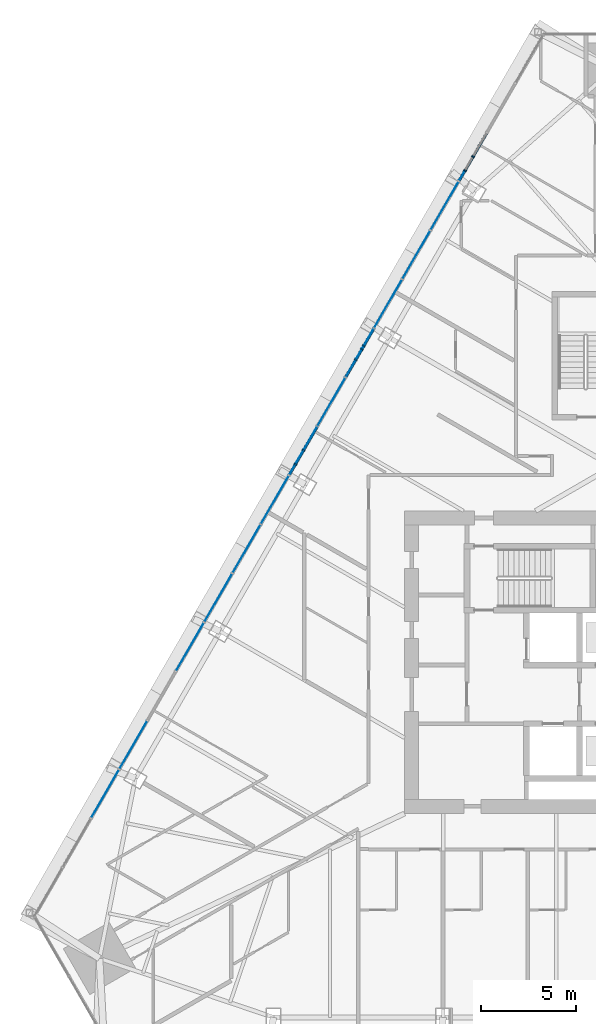
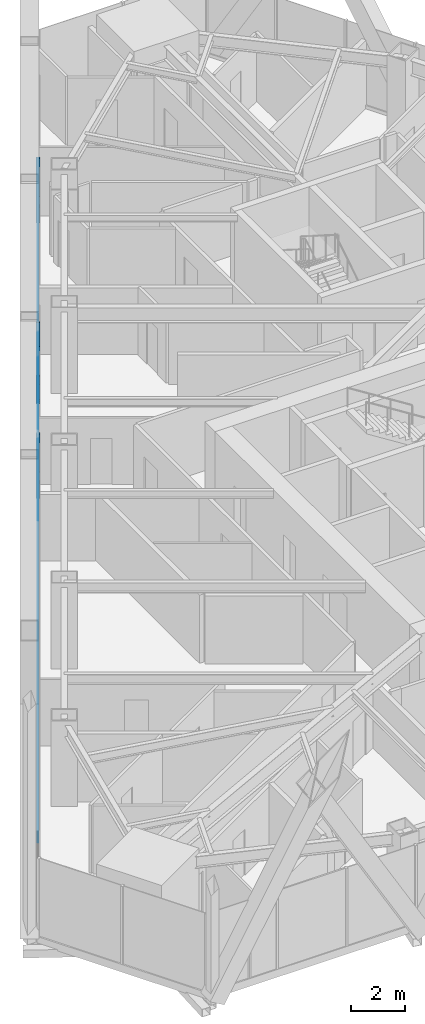
# One storey, part 8 of 24: 21 plates, 11 members, 2 openings, 1 element without a shape of its own.
"""IFC4 building model written with IfcOpenShell, lengths in metres."""

from ifc_helpers import new_model, si_unit, direction, frame, frame_2d, origin, origin_2d, place, context, subcontext, project, spatial, polyline, rectangle, outline, extrude, material, layer, layer_set, material_profile, profile_set, type_object, element, aggregate, save


model = new_model("IFC4")

# Units and contexts
model_context = context("Model", 3, precision=1e-05, world=origin(), true_north=direction((0.0, 1.0)))
body_context = subcontext(model_context, "Body", "Model", "MODEL_VIEW")
ifc_project = project(units=[si_unit("LENGTHUNIT", "METRE"), si_unit("AREAUNIT", "SQUARE_METRE"), si_unit("VOLUMEUNIT", "CUBIC_METRE"), si_unit("PLANEANGLEUNIT", "RADIAN"), si_unit("MASSUNIT", "GRAM", prefix="KILO")], contexts=[model_context])

# Site, building, storey
site_placement = place(None, origin())
site = spatial("IfcSite", under=ifc_project, at=site_placement, CompositionType="ELEMENT")
building_placement = place(site_placement, origin())
building = spatial("IfcBuilding", under=site, at=building_placement, Name="Firuza Gate Tower and Library", CompositionType="ELEMENT")
storey_placement = place(building_placement, frame((0.0, 0.0, 171.39990234375)))
storey = spatial("IfcBuildingStorey", under=building, at=storey_placement, Name="L39", CompositionType="ELEMENT", Elevation=171.39990234375)

# Curtain wall, openings, members, plates
ifc_material_1 = material(Name="Aluminium 6063-T6", Category="aluminium")
ifc_layer_1 = layer(ifc_material_1, 0.14990234375)
ifc_layer_set_1 = layer_set([ifc_layer_1], Name="Unitised curtain wall, hotel")
curtain_wall_type = type_object("IfcCurtainWallType", Name="Unitised curtain wall, hotel", PredefinedType="NOTDEFINED", material=ifc_layer_set_1)
curtain_wall_placement = place(storey_placement, origin())
curtain_wall = element("IfcCurtainWall", 1, at=curtain_wall_placement, inside=storey, type_object=curtain_wall_type, Name="CW2 L39 W face", PredefinedType="NOTDEFINED")
opening_1_placement = place(curtain_wall_placement, frame((69.840576171875, 105.572509765625, 0.150146484375), z_axis=(0.0, 0.0, 1.0), x_axis=(-0.5, -0.866025, 0.0)))
element("IfcOpeningElement", 2, at=opening_1_placement, cuts=curtain_wall, Name="Opening WD1-005", PredefinedType="OPENING", context=body_context, shape_type="SweptSolid", body=[
    extrude(rectangle(XDim=2.912109375, YDim=3.550048828125, at=frame_2d((1.4560546875, 1.77490234375))), frame((0.0, 0.0849609375, 0.0), z_axis=(0.0, -1.0, 0.0), x_axis=(1.0, 0.0, 0.0)), (0.0, 0.0, 1.0), 0.169921875),
])
opening_2_placement = place(curtain_wall_placement, frame((51.887939453125, 74.4775390625, 0.150146484375), z_axis=(0.0, 0.0, 1.0), x_axis=(-0.5, -0.866025, 0.0)))
element("IfcOpeningElement", 3, at=opening_2_placement, cuts=curtain_wall, Name="Opening WD1-006", PredefinedType="OPENING", context=body_context, shape_type="SweptSolid", body=[
    extrude(rectangle(XDim=2.912109375, YDim=3.550048828125, at=frame_2d((1.4560546875, 1.77490234375))), frame((0.0, 0.0849609375, 0.0), z_axis=(0.0, -1.0, 0.0), x_axis=(1.0, 0.0, 0.0)), (0.0, 0.0, 1.0), 0.169921875),
])
ifc_material_2 = material(Name="Aluminium 6063-T6", Category="aluminium")
ifc_material_profile_1 = material_profile(ifc_material_2, rectangle(XDim=0.14990234375, YDim=0.080078125, at=origin_2d()))
ifc_profile_set_1 = profile_set([ifc_material_profile_1], Name="Aluminium 6063-T6")
member_type_1 = type_object("IfcMemberType", Name="Curtain wall mullion 80x150", PredefinedType="MULLION", material=ifc_profile_set_1)
member_1_placement = place(storey_placement, frame((67.619873046875, 101.72607421875, 0.150146484375), z_axis=(0.0, 0.0, 1.0), x_axis=(0.866025403784, -0.5, 0.0)))
member_1 = element("IfcMember", 4, at=member_1_placement, type_object=member_type_1, Name="Mullion", PredefinedType="MULLION", context=body_context, shape_type="SweptSolid", body=[
    extrude(rectangle(XDim=0.14990234375, YDim=0.080078125, at=origin_2d()), origin(), (0.0, 0.0, 1.0), 1.73486328125),
])
member_2_placement = place(storey_placement, frame((67.194091796875, 100.98876953125, 1.965087890625), z_axis=(0.0, 0.0, 1.0), x_axis=(0.866025403784, -0.5, 0.0)))
member_2 = element("IfcMember", 5, at=member_2_placement, type_object=member_type_1, Name="Mullion", PredefinedType="MULLION", context=body_context, shape_type="SweptSolid", body=[
    extrude(rectangle(XDim=0.14990234375, YDim=0.080078125, at=origin_2d()), origin(), (0.0, 0.0, 1.0), 1.735107421875),
])
member_3_placement = place(storey_placement, frame((61.743896484375, 91.54833984375, 0.150146484375), z_axis=(0.0, 0.0, 1.0), x_axis=(0.866025403784, -0.5, 0.0)))
member_3 = element("IfcMember", 6, at=member_3_placement, type_object=member_type_1, Name="Mullion", PredefinedType="MULLION", context=body_context, shape_type="SweptSolid", body=[
    extrude(rectangle(XDim=0.14990234375, YDim=0.080078125, at=origin_2d()), origin(), (0.0, 0.0, 1.0), 1.260009765625),
])
member_4_placement = place(storey_placement, frame((61.420654296875, 90.98876953125, 1.489990234375), z_axis=(0.0, 0.0, 1.0), x_axis=(0.866025403784, -0.5, 0.0)))
member_4 = element("IfcMember", 7, at=member_4_placement, type_object=member_type_1, Name="Mullion", PredefinedType="MULLION", context=body_context, shape_type="SweptSolid", body=[
    extrude(rectangle(XDim=0.14990234375, YDim=0.080078125, at=origin_2d()), origin(), (0.0, 0.0, 1.0), 1.045166015625),
])
member_5_placement = place(storey_placement, frame((61.84619140625, 91.72607421875, 2.614990234375), z_axis=(0.0, 0.0, 1.0), x_axis=(0.866025403784, -0.5, 0.0)))
member_5 = element("IfcMember", 8, at=member_5_placement, type_object=member_type_1, Name="Mullion", PredefinedType="MULLION", context=body_context, shape_type="SweptSolid", body=[
    extrude(rectangle(XDim=0.14990234375, YDim=0.080078125, at=origin_2d()), origin(), (0.0, 0.0, 1.0), 1.085205078125),
])
member_6_placement = place(storey_placement, frame((58.657958984375, 86.20361328125, 0.150146484375), z_axis=(0.0, 0.0, 1.0), x_axis=(0.866025403784, -0.5, 0.0)))
member_6 = element("IfcMember", 9, at=member_6_placement, type_object=member_type_1, Name="Mullion", PredefinedType="MULLION", context=body_context, shape_type="SweptSolid", body=[
    extrude(rectangle(XDim=0.14990234375, YDim=0.080078125, at=origin_2d()), origin(), (0.0, 0.0, 1.0), 1.73486328125),
])
member_7_placement = place(storey_placement, frame((58.232177734375, 85.46630859375, 1.965087890625), z_axis=(0.0, 0.0, 1.0), x_axis=(0.866025403784, -0.5, 0.0)))
member_7 = element("IfcMember", 10, at=member_7_placement, type_object=member_type_1, Name="Mullion", PredefinedType="MULLION", context=body_context, shape_type="SweptSolid", body=[
    extrude(rectangle(XDim=0.14990234375, YDim=0.080078125, at=origin_2d()), origin(), (0.0, 0.0, 1.0), 1.735107421875),
])
ifc_material_3 = material(Name="Aluminium 6063-T6", Category="aluminium")
ifc_material_profile_2 = material_profile(ifc_material_3, rectangle(XDim=0.14990234375, YDim=0.080078125, at=origin_2d()))
ifc_profile_set_2 = profile_set([ifc_material_profile_2], Name="Aluminium 6063-T6")
member_type_2 = type_object("IfcMemberType", Name="Curtain wall transom 80x150", PredefinedType="USERDEFINED", material=ifc_profile_set_2)
member_8_placement = place(storey_placement, frame((68.344482421875, 102.9814453125, 1.925048828125), z_axis=(-0.49999822179, -0.866026430432, 0.0), x_axis=(0.866026430432, -0.49999822179, 0.0)))
member_8 = element("IfcMember", 11, at=member_8_placement, type_object=member_type_2, Name="Transom", ObjectType="TRANSOM", PredefinedType="USERDEFINED", context=body_context, shape_type="SweptSolid", body=[
    extrude(rectangle(XDim=0.14990234375, YDim=0.080078125, at=origin_2d()), origin(), (0.0, 0.0, 1.0), 2.912109375),
])
member_9_placement = place(storey_placement, frame((62.3603515625, 92.616455078125, 1.4501953125), z_axis=(-0.49999822179, -0.866026430432, 0.0), x_axis=(0.866026430432, -0.49999822179, 0.0)))
member_9 = element("IfcMember", 12, at=member_9_placement, type_object=member_type_2, Name="Transom", ObjectType="TRANSOM", PredefinedType="USERDEFINED", context=body_context, shape_type="SweptSolid", body=[
    extrude(rectangle(XDim=0.14990234375, YDim=0.080078125, at=origin_2d()), origin(), (0.0, 0.0, 1.0), 2.912109375),
])
member_10_placement = place(storey_placement, frame((62.3603515625, 92.616455078125, 2.5751953125), z_axis=(-0.49999822179, -0.866026430432, 0.0), x_axis=(0.866026430432, -0.49999822179, 0.0)))
member_10 = element("IfcMember", 13, at=member_10_placement, type_object=member_type_2, Name="Transom", ObjectType="TRANSOM", PredefinedType="USERDEFINED", context=body_context, shape_type="SweptSolid", body=[
    extrude(rectangle(XDim=0.14990234375, YDim=0.080078125, at=origin_2d()), origin(), (0.0, 0.0, 1.0), 2.912109375),
])
member_11_placement = place(storey_placement, frame((59.3681640625, 87.433837890625, 1.925048828125), z_axis=(-0.49999822179, -0.866026430432, 0.0), x_axis=(0.866026430432, -0.49999822179, 0.0)))
member_11 = element("IfcMember", 14, at=member_11_placement, type_object=member_type_2, Name="Transom", ObjectType="TRANSOM", PredefinedType="USERDEFINED", context=body_context, shape_type="SweptSolid", body=[
    extrude(rectangle(XDim=0.14990234375, YDim=0.080078125, at=origin_2d()), origin(), (0.0, 0.0, 1.0), 2.912109375),
])
ifc_material_4 = material(Name="Fritted glass", Category="glass")
ifc_layer_2 = layer(ifc_material_4, 0.030029296875)
ifc_layer_set_2 = layer_set([ifc_layer_2], Name="Fritted glass unit, hotel")
plate_type_1 = type_object("IfcPlateType", Name="Fritted glass unit, hotel", PredefinedType="CURTAIN_PANEL", material=ifc_layer_set_2)
plate_1_placement = place(storey_placement, frame((67.1611328125, 100.961669921875, 1.965087890625), z_axis=(-0.866078867041, 0.499907387488, 0.0), x_axis=(-0.499907387488, -0.866078867041, 0.0)))
plate_1 = element("IfcPlate", 15, at=plate_1_placement, type_object=plate_type_1, Name="Glass unit", PredefinedType="CURTAIN_PANEL", context=body_context, shape_type="SweptSolid", body=[
    extrude(outline(polyline([(0.0, 0.0), (0.5713948991340212, 0.0), (0.5713948991340212, 1.7351074218750004), (0.0, 1.7351074218750004), (0.0, 0.0)])), origin(), (0.0, 0.0, -1.0), 0.030029296875),
])
plate_2_placement = place(storey_placement, frame((65.33935546875, 97.806396484375, 0.150146484375), z_axis=(-0.866026430432, 0.49999822179, 0.0), x_axis=(-0.49999822179, -0.866026430432, 0.0)))
plate_2 = element("IfcPlate", 16, at=plate_2_placement, type_object=plate_type_1, Name="Glass unit", PredefinedType="CURTAIN_PANEL", context=body_context, shape_type="SweptSolid", body=[
    extrude(outline(polyline([(0.0, 0.0), (2.9121197317183585, 0.0), (2.9121197317183585, 3.550048828125), (0.0, 3.550048828125), (0.0, 0.0)])), origin(), (0.0, 0.0, -1.0), 0.030029296875),
])
plate_3_placement = place(storey_placement, frame((61.710693359375, 91.521240234375, 0.150146484375), z_axis=(-0.866071485186, 0.499920176176, 0.0), x_axis=(-0.499920176176, -0.866071485186, 0.0)))
plate_3 = element("IfcPlate", 17, at=plate_3_placement, type_object=plate_type_1, Name="Glass unit", PredefinedType="CURTAIN_PANEL", context=body_context, shape_type="SweptSolid", body=[
    extrude(outline(polyline([(0.0, 0.0), (1.6389335268841883, 0.0), (1.6389335268841883, 1.260009765625), (0.0, 1.260009765625), (0.0, 0.0)])), origin(), (0.0, 0.0, -1.0), 0.030029296875),
])
plate_4_placement = place(storey_placement, frame((61.3876953125, 90.961669921875, 1.489990234375), z_axis=(-0.866070935816, 0.499921127914, 0.0), x_axis=(-0.499921127914, -0.866070935816, 0.0)))
plate_4 = element("IfcPlate", 18, at=plate_4_placement, type_object=plate_type_1, Name="Glass unit", PredefinedType="CURTAIN_PANEL", context=body_context, shape_type="SweptSolid", body=[
    extrude(outline(polyline([(0.0, 0.0), (0.9928323947737056, 0.0), (0.9928323947737056, 1.045166015625), (0.0, 1.045166015625), (0.0, 0.0)])), origin(), (0.0, 0.0, -1.0), 0.030029296875),
])
plate_5_placement = place(storey_placement, frame((62.347412109375, 92.623779296875, 2.614990234375), z_axis=(-0.865983964866, 0.500071767444, 0.0), x_axis=(-0.500071767444, -0.865983964866, 0.0)))
plate_5 = element("IfcPlate", 19, at=plate_5_placement, type_object=plate_type_1, Name="Glass unit", PredefinedType="CURTAIN_PANEL", context=body_context, shape_type="SweptSolid", body=[
    extrude(outline(polyline([(0.0, 0.0), (0.9881394175202121, 0.0), (0.9881394175202121, 1.085205078125), (0.0, 1.085205078125), (0.0, 0.0)])), origin(), (0.0, 0.0, -1.0), 0.030029296875),
])
plate_6_placement = place(storey_placement, frame((60.851318359375, 90.032470703125, 0.150146484375), z_axis=(-0.866026430432, 0.49999822179, 0.0), x_axis=(-0.49999822179, -0.866026430432, 0.0)))
plate_6 = element("IfcPlate", 20, at=plate_6_placement, type_object=plate_type_1, Name="Glass unit", PredefinedType="CURTAIN_PANEL", context=body_context, shape_type="SweptSolid", body=[
    extrude(outline(polyline([(0.0, 0.0), (2.9121197317183585, 0.0), (2.9121197317183585, 3.550048828125), (0.0, 3.550048828125), (0.0, 0.0)])), origin(), (0.0, 0.0, -1.0), 0.030029296875),
])
plate_7_placement = place(storey_placement, frame((59.355224609375, 87.44140625, 0.150146484375), z_axis=(-0.866091368387, 0.499885728548, 0.0), x_axis=(-0.499885728548, -0.866091368387, 0.0)))
plate_7 = element("IfcPlate", 21, at=plate_7_placement, type_object=plate_type_1, Name="Glass unit", PredefinedType="CURTAIN_PANEL", context=body_context, shape_type="SweptSolid", body=[
    extrude(outline(polyline([(0.0, 0.0), (1.380686639883668, 0.0), (1.380686639883668, 1.73486328125), (0.0, 1.73486328125), (0.0, 0.0)])), origin(), (0.0, 0.0, -1.0), 0.030029296875),
])
plate_8_placement = place(storey_placement, frame((58.19921875, 85.439208984375, 1.965087890625), z_axis=(-0.866056883327, 0.499945471869, 0.0), x_axis=(-0.499945471869, -0.866056883327, 0.0)))
plate_8 = element("IfcPlate", 22, at=plate_8_placement, type_object=plate_type_1, Name="Glass unit", PredefinedType="CURTAIN_PANEL", context=body_context, shape_type="SweptSolid", body=[
    extrude(outline(polyline([(0.0, 0.0), (0.6001631077953369, 0.0), (0.6001631077953369, 1.735107421875), (0.0, 1.735107421875), (0.0, 0.0)])), origin(), (0.0, 0.0, -1.0), 0.030029296875),
])
plate_9_placement = place(storey_placement, frame((56.363037109375, 82.2587890625, 0.150146484375), z_axis=(-0.866026430432, 0.49999822179, 0.0), x_axis=(-0.49999822179, -0.866026430432, 0.0)))
plate_9 = element("IfcPlate", 23, at=plate_9_placement, type_object=plate_type_1, Name="Glass unit", PredefinedType="CURTAIN_PANEL", context=body_context, shape_type="SweptSolid", body=[
    extrude(outline(polyline([(0.0, 0.0), (2.9121197317183585, 0.0), (2.9121197317183585, 3.550048828125), (0.0, 3.550048828125), (0.0, 0.0)])), origin(), (0.0, 0.0, -1.0), 0.030029296875),
])
ifc_material_5 = material(Name="Glazed ceramic tile")
ifc_layer_3 = layer(ifc_material_5, 0.030029296875)
ifc_layer_set_3 = layer_set([ifc_layer_3], Name="Opaque ceramic panel, hotel")
plate_type_2 = type_object("IfcPlateType", Name="Opaque ceramic panel, hotel", PredefinedType="CURTAIN_PANEL", material=ifc_layer_set_3)
plate_10_placement = place(storey_placement, frame((66.83544921875, 100.397705078125, 0.150146484375), z_axis=(-0.866026430432, 0.49999822179, 0.0), x_axis=(-0.49999822179, -0.866026430432, 0.0)))
plate_10 = element("IfcPlate", 24, at=plate_10_placement, type_object=plate_type_2, Name="Opaque ceramic panel", PredefinedType="CURTAIN_PANEL", context=body_context, shape_type="SweptSolid", body=[
    extrude(outline(polyline([(0.0, 0.0), (2.9121197317183585, 0.0), (2.9121197317183585, 3.550048828125), (0.0, 3.550048828125), (0.0, 0.0)])), origin(), (0.0, 0.0, -1.0), 0.030029296875),
])
plate_11_placement = place(storey_placement, frame((63.843505859375, 95.215087890625, 0.150146484375), z_axis=(-0.866026430432, 0.49999822179, 0.0), x_axis=(-0.49999822179, -0.866026430432, 0.0)))
plate_11 = element("IfcPlate", 25, at=plate_11_placement, type_object=plate_type_2, Name="Opaque ceramic panel", PredefinedType="CURTAIN_PANEL", context=body_context, shape_type="SweptSolid", body=[
    extrude(outline(polyline([(0.0, 0.0), (2.9121197317183585, 0.0), (2.9121197317183585, 3.550048828125), (0.0, 3.550048828125), (0.0, 0.0)])), origin(), (0.0, 0.0, -1.0), 0.030029296875),
])
plate_12_placement = place(storey_placement, frame((62.347412109375, 92.623779296875, 0.150146484375), z_axis=(-0.865967480583, 0.50010031251, 0.0), x_axis=(-0.50010031251, -0.865967480583, 0.0)))
plate_12 = element("IfcPlate", 26, at=plate_12_placement, type_object=plate_type_2, Name="Opaque ceramic panel", PredefinedType="CURTAIN_PANEL", context=body_context, shape_type="SweptSolid", body=[
    extrude(outline(polyline([(0.0, 0.0), (1.1931200052739304, 0.0), (1.1931200052739304, 1.260009765625), (0.0, 1.260009765625), (0.0, 0.0)])), origin(), (0.0, 0.0, -1.0), 0.030029296875),
])
plate_13_placement = place(storey_placement, frame((62.347412109375, 92.623779296875, 1.489990234375), z_axis=(-0.866037501772, 0.499979045085, 0.0), x_axis=(-0.499979045085, -0.866037501772, 0.0)))
plate_13 = element("IfcPlate", 27, at=plate_13_placement, type_object=plate_type_2, Name="Opaque ceramic panel", PredefinedType="CURTAIN_PANEL", context=body_context, shape_type="SweptSolid", body=[
    extrude(outline(polyline([(0.0, 0.0), (1.8394325590573777, 0.0), (1.8394325590573777, 1.045166015625), (0.0, 1.045166015625), (0.0, 0.0)])), origin(), (0.0, 0.0, -1.0), 0.030029296875),
])
plate_14_placement = place(storey_placement, frame((61.813232421875, 91.698974609375, 2.614990234375), z_axis=(-0.866084183184, 0.49989817727, 0.0), x_axis=(-0.49989817727, -0.866084183184, 0.0)))
plate_14 = element("IfcPlate", 28, at=plate_14_placement, type_object=plate_type_2, Name="Opaque ceramic panel", PredefinedType="CURTAIN_PANEL", context=body_context, shape_type="SweptSolid", body=[
    extrude(outline(polyline([(0.0, 0.0), (1.8441255477938592, 0.0), (1.8441255477938592, 1.0852050781250002), (0.0, 1.0852050781250002), (0.0, 0.0)])), origin(), (0.0, 0.0, -1.0), 0.030029296875),
])
plate_15_placement = place(storey_placement, frame((58.625, 86.176513671875, 0.150146484375), z_axis=(-0.866009128825, 0.500028187997, 0.0), x_axis=(-0.500028187997, -0.866009128825, 0.0)))
plate_15 = element("IfcPlate", 29, at=plate_15_placement, type_object=plate_type_2, Name="Opaque ceramic panel", PredefinedType="CURTAIN_PANEL", context=body_context, shape_type="SweptSolid", body=[
    extrude(outline(polyline([(0.0, 0.0), (1.4515783220790048, 0.0), (1.4515783220790048, 1.73486328125), (0.0, 1.73486328125), (0.0, 0.0)])), origin(), (0.0, 0.0, -1.0), 0.030029296875),
])
plate_16_placement = place(storey_placement, frame((59.355224609375, 87.44140625, 1.965087890625), z_axis=(-0.866019818373, 0.500009674092, 0.0), x_axis=(-0.500009674092, -0.866019818373, 0.0)))
plate_16 = element("IfcPlate", 30, at=plate_16_placement, type_object=plate_type_2, Name="Opaque ceramic panel", PredefinedType="CURTAIN_PANEL", context=body_context, shape_type="SweptSolid", body=[
    extrude(outline(polyline([(0.0, 0.0), (2.2318904107255326, 0.0), (2.2318904107255326, 1.735107421875), (0.0, 1.735107421875), (0.0, 0.0)])), origin(), (0.0, 0.0, -1.0), 0.030029296875),
])
plate_17_placement = place(storey_placement, frame((57.859130859375, 84.85009765625, 0.150146484375), z_axis=(-0.866026430432, 0.49999822179, 0.0), x_axis=(-0.49999822179, -0.866026430432, 0.0)))
plate_17 = element("IfcPlate", 31, at=plate_17_placement, type_object=plate_type_2, Name="Opaque ceramic panel", PredefinedType="CURTAIN_PANEL", context=body_context, shape_type="SweptSolid", body=[
    extrude(outline(polyline([(0.0, 0.0), (2.9121197317183585, 0.0), (2.9121197317183585, 3.550048828125), (0.0, 3.550048828125), (0.0, 0.0)])), origin(), (0.0, 0.0, -1.0), 0.030029296875),
])
plate_18_placement = place(storey_placement, frame((54.866943359375, 79.66748046875, 0.150146484375), z_axis=(-0.866026430432, 0.49999822179, 0.0), x_axis=(-0.49999822179, -0.866026430432, 0.0)))
plate_18 = element("IfcPlate", 32, at=plate_18_placement, type_object=plate_type_2, Name="Opaque ceramic panel", PredefinedType="CURTAIN_PANEL", context=body_context, shape_type="SweptSolid", body=[
    extrude(outline(polyline([(0.0, 0.0), (2.9121197317183585, 0.0), (2.9121197317183585, 3.550048828125), (0.0, 3.550048828125), (0.0, 0.0)])), origin(), (0.0, 0.0, -1.0), 0.030029296875),
])
plate_19_placement = place(storey_placement, frame((53.37109375, 77.076416015625, 0.150146484375), z_axis=(-0.866026430432, 0.49999822179, 0.0), x_axis=(-0.49999822179, -0.866026430432, 0.0)))
plate_19 = element("IfcPlate", 33, at=plate_19_placement, type_object=plate_type_2, Name="Opaque ceramic panel", PredefinedType="CURTAIN_PANEL", context=body_context, shape_type="SweptSolid", body=[
    extrude(outline(polyline([(0.0, 0.0), (2.9121197317183585, 0.0), (2.9121197317183585, 3.550048828125), (0.0, 3.550048828125), (0.0, 0.0)])), origin(), (0.0, 0.0, -1.0), 0.030029296875),
])
plate_20_placement = place(storey_placement, frame((50.37890625, 71.893798828125, 0.150146484375), z_axis=(-0.866026430432, 0.49999822179, 0.0), x_axis=(-0.49999822179, -0.866026430432, 0.0)))
plate_20 = element("IfcPlate", 34, at=plate_20_placement, type_object=plate_type_2, Name="Opaque ceramic panel", PredefinedType="CURTAIN_PANEL", context=body_context, shape_type="SweptSolid", body=[
    extrude(outline(polyline([(0.0, 0.0), (2.9121197317183585, 0.0), (2.9121197317183585, 3.550048828125), (0.0, 3.550048828125), (0.0, 0.0)])), origin(), (0.0, 0.0, -1.0), 0.030029296875),
])
plate_21_placement = place(storey_placement, frame((48.8828125, 69.302490234375, 0.150146484375), z_axis=(-0.866026430432, 0.49999822179, 0.0), x_axis=(-0.49999822179, -0.866026430432, 0.0)))
plate_21 = element("IfcPlate", 35, at=plate_21_placement, type_object=plate_type_2, Name="Opaque ceramic panel", PredefinedType="CURTAIN_PANEL", context=body_context, shape_type="SweptSolid", body=[
    extrude(outline(polyline([(0.0, 0.0), (2.9121197317183585, 0.0), (2.9121197317183585, 3.550048828125), (0.0, 3.550048828125), (0.0, 0.0)])), origin(), (0.0, 0.0, -1.0), 0.030029296875),
])
aggregate(curtain_wall, [plate_1, member_1, member_2, member_8, plate_10, plate_2, plate_11, plate_12, plate_3, plate_13, plate_4, plate_5, plate_14, member_3, member_4, member_5, member_9, member_10, plate_6, plate_7, plate_15, plate_16, plate_8, member_6, member_7, member_11, plate_17, plate_9, plate_18, plate_19, plate_20, plate_21])

save(model, "model.ifc")
